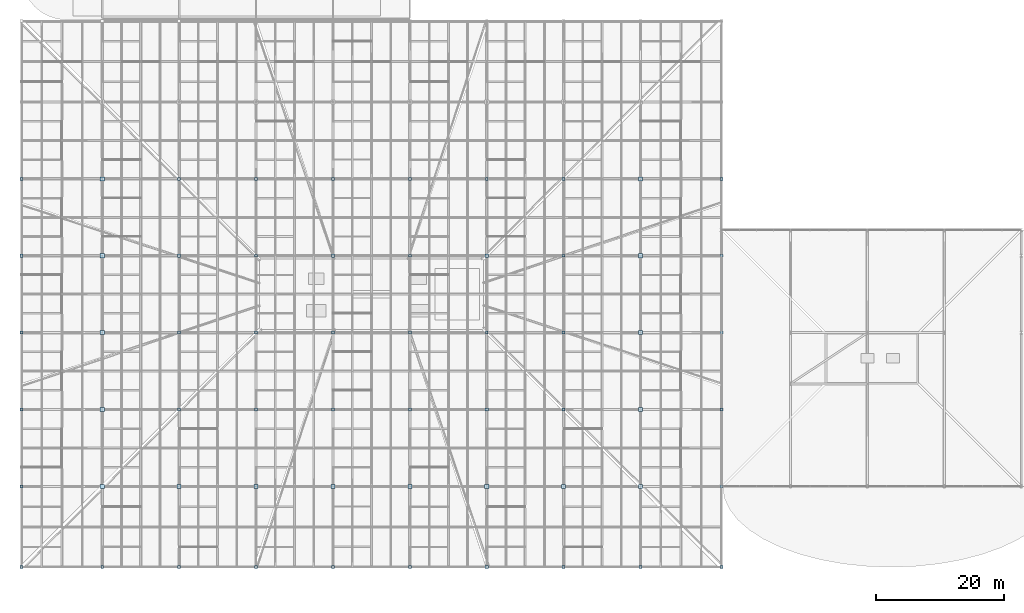
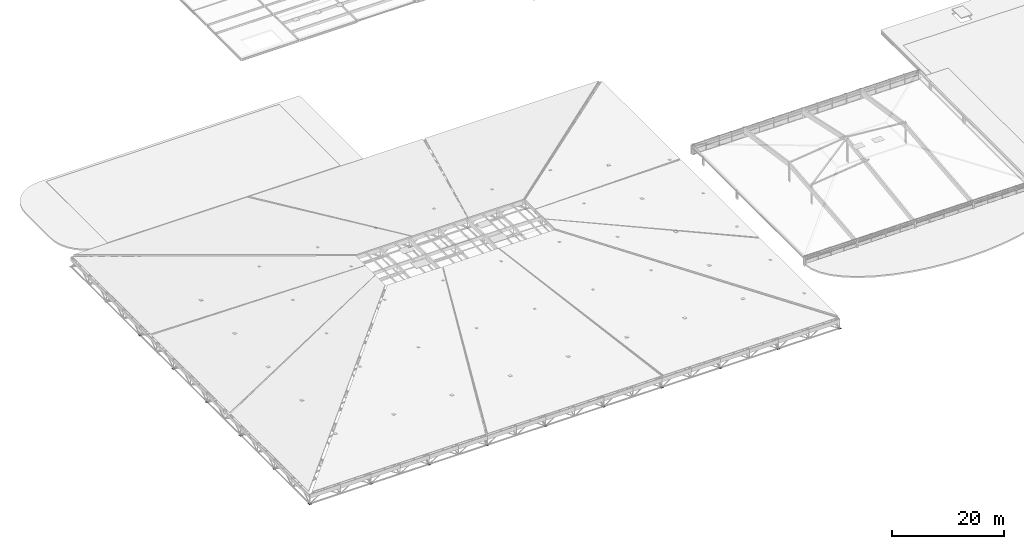
# One storey, part 77 of 80: 60 plates.
"""IFC4 building model written with IfcOpenShell, lengths in metres."""

from ifc_helpers import new_model, si_unit, direction, frame, origin, origin_2d, place, context, subcontext, project, spatial, rectangle, extrude, material, layer, layer_set, type_object, element, save


model = new_model("IFC4")

# Units and contexts
model_context = context("Model", 3, precision=1e-05, world=origin(), true_north=direction((0.0, 1.0)))
body_context = subcontext(model_context, "Body", "Model", "MODEL_VIEW")
ifc_project = project(units=[si_unit("LENGTHUNIT", "METRE"), si_unit("AREAUNIT", "SQUARE_METRE"), si_unit("VOLUMEUNIT", "CUBIC_METRE"), si_unit("PLANEANGLEUNIT", "RADIAN"), si_unit("MASSUNIT", "GRAM", prefix="KILO"), si_unit("THERMODYNAMICTEMPERATUREUNIT", "KELVIN"), si_unit("POWERUNIT", "WATT")], contexts=[model_context])

# Site, building, storey
site_placement = place(None, origin())
site = spatial("IfcSite", under=ifc_project, at=site_placement, CompositionType="ELEMENT")
building_placement = place(site_placement, origin())
building = spatial("IfcBuilding", under=site, at=building_placement, Name="Solmara Park Aquatics Centre", CompositionType="ELEMENT")
storey_placement = place(building_placement, frame((0.0, 0.0, 22.800048828125)))
storey = spatial("IfcBuildingStorey", under=building, at=storey_placement, Name="RF", CompositionType="ELEMENT", Elevation=22.800048828125)

# Plates
ifc_material = material(Name="Structural Steel S355", Category="steel")
ifc_layer_1 = layer(ifc_material, 0.02490234375, Name="Structural Steel S355")
ifc_layer_set_1 = layer_set([ifc_layer_1], Name="Structural Steel S355")
plate_type_1 = type_object("IfcPlateType", Name="STR-PLT-CAP50", PredefinedType="SHEET", material=ifc_layer_set_1)
for number, where, z_axis, x_axis, name in (
    (1, (0.0, 12.60009765625, -14.41259765625), (0.0, 0.0, 1.0), (1.0, 0.0, 0.0), "Roof Truss Node Plate 0002"),
    (2, (0.0, 36.60009765625, -14.41259765625), (0.0, 0.0, 1.0), (1.0, 0.0, 0.0), "Roof Truss Node Plate 0004"),
    (3, (0.0, 60.60009765625, -14.41259765625), (0.0, 0.0, 1.0), (1.0, 0.0, 0.0), "Roof Truss Node Plate 0006"),
    (4, (12.60009765625, 0.0, -14.41259765625), (0.0, 0.0, 1.0), (1.0, 0.0, 0.0), "Roof Truss Node Plate 0009"),
    (5, (24.60009765625, 36.60009765625, -8.050537109375), (0.0, 0.0, 1.0), (1.0, 0.0, 0.0), "Roof Truss Node Plate 0020"),
    (6, (24.60009765625, 60.60009765625, -8.050537109375), (0.0, 0.0, 1.0), (1.0, 0.0, 0.0), "Roof Truss Node Plate 0022"),
    (7, (36.60009765625, 0.0, -14.41259765625), (0.0, 0.0, 1.0), (1.0, 0.0, 0.0), "Roof Truss Node Plate 0025"),
    (8, (36.60009765625, 24.60009765625, -8.050537109375), (0.0, 0.0, 1.0), (1.0, 0.0, 0.0), "Roof Truss Node Plate 0027"),
    (9, (36.60009765625, 48.60009765625, -4.947021484375), (0.0, 0.0, 1.0), (1.0, 0.0, 0.0), "Roof Truss Node Plate 0029"),
    (10, (48.60009765625, 36.60009765625, -4.947021484375), (0.0, 0.0, 1.0), (1.0, 0.0, 0.0), "Roof Truss Node Plate 0036"),
    (11, (48.60009765625, 60.60009765625, -8.050537109375), (0.0, 0.0, 1.0), (1.0, 0.0, 0.0), "Roof Truss Node Plate 0038"),
    (12, (60.60009765625, 0.0, -14.41259765625), (0.0, 0.0, 1.0), (1.0, 0.0, 0.0), "Roof Truss Node Plate 0041"),
    (13, (60.60009765625, 24.60009765625, -8.050537109375), (0.0, 0.0, 1.0), (1.0, 0.0, 0.0), "Roof Truss Node Plate 0043"),
    (14, (60.60009765625, 48.60009765625, -4.947021484375), (0.0, 0.0, 1.0), (1.0, 0.0, 0.0), "Roof Truss Node Plate 0045"),
    (15, (72.60009765625, 36.60009765625, -4.947021484375), (0.0, 0.0, 1.0), (1.0, 0.0, 0.0), "Roof Truss Node Plate 0052"),
    (16, (72.60009765625, 60.60009765625, -8.050537109375), (0.0, 0.0, 1.0), (1.0, 0.0, 0.0), "Roof Truss Node Plate 0054"),
    (17, (84.60009765625, 0.0, -14.41259765625), (0.0, 0.0, 1.0), (1.0, 0.0, 0.0), "Roof Truss Node Plate 0057"),
    (18, (84.60009765625, 24.60009765625, -8.050537109375), (0.0, 0.0, 1.0), (1.0, 0.0, 0.0), "Roof Truss Node Plate 0059"),
    (19, (84.60009765625, 48.60009765625, -8.050537109375), (0.0, 0.0, 1.0), (1.0, 0.0, 0.0), "Roof Truss Node Plate 0061"),
    (20, (109.199951171875, 0.0, -14.41259765625), (0.0, 0.0, 1.0), (1.0, 0.0, 0.0), "Roof Truss Node Plate 0073"),
    (21, (109.199951171875, 24.60009765625, -14.41259765625), (0.0, 0.0, 1.0), (1.0, 0.0, 0.0), "Roof Truss Node Plate 0075"),
    (22, (109.199951171875, 48.60009765625, -14.41259765625), (0.0, 0.0, 1.0), (1.0, 0.0, 0.0), "Roof Truss Node Plate 0077"),
):
    element("IfcPlate", number, at=place(storey_placement, frame(where, z_axis=z_axis, x_axis=x_axis)), inside=storey, type_object=plate_type_1, Name=name, PredefinedType="SHEET", context=body_context, shape_type="SweptSolid", body=[
        extrude(rectangle(XDim=0.449951171875, YDim=0.449951171875, at=origin_2d()), origin(), (0.0, 0.0, 1.0), 0.02490234375),
    ])
ifc_layer_2 = layer(ifc_material, 0.031982421875, Name="Structural Steel S355")
ifc_layer_set_2 = layer_set([ifc_layer_2], Name="Structural Steel S355")
plate_type_2 = type_object("IfcPlateType", Name="STR-PLT-GUS60", PredefinedType="USERDEFINED", material=ifc_layer_set_2)
for number, where, z_axis, x_axis, name in (
    (23, (0.0, 0.0, -14.416015625), (0.0, 0.0, 1.0), (1.0, 0.0, 0.0), "Roof Truss Node Plate 0001"),
    (24, (0.0, 24.60009765625, -14.416015625), (0.0, 0.0, 1.0), (1.0, 0.0, 0.0), "Roof Truss Node Plate 0003"),
    (25, (0.0, 48.60009765625, -14.416015625), (0.0, 0.0, 1.0), (1.0, 0.0, 0.0), "Roof Truss Node Plate 0005"),
    (26, (24.60009765625, 0.0, -14.416015625), (0.0, 0.0, 1.0), (1.0, 0.0, 0.0), "Roof Truss Node Plate 0017"),
    (27, (24.60009765625, 24.60009765625, -8.05419921875), (0.0, 0.0, 1.0), (1.0, 0.0, 0.0), "Roof Truss Node Plate 0019"),
    (28, (24.60009765625, 48.60009765625, -8.05419921875), (0.0, 0.0, 1.0), (1.0, 0.0, 0.0), "Roof Truss Node Plate 0021"),
    (29, (36.60009765625, 36.60009765625, -4.95068359375), (0.0, 0.0, 1.0), (1.0, 0.0, 0.0), "Roof Truss Node Plate 0028"),
    (30, (36.60009765625, 60.60009765625, -8.05419921875), (0.0, 0.0, 1.0), (1.0, 0.0, 0.0), "Roof Truss Node Plate 0030"),
    (31, (48.60009765625, 0.0, -14.416015625), (0.0, 0.0, 1.0), (1.0, 0.0, 0.0), "Roof Truss Node Plate 0033"),
    (32, (48.60009765625, 24.60009765625, -8.05419921875), (0.0, 0.0, 1.0), (1.0, 0.0, 0.0), "Roof Truss Node Plate 0035"),
    (33, (48.60009765625, 48.60009765625, -4.95068359375), (0.0, 0.0, 1.0), (1.0, 0.0, 0.0), "Roof Truss Node Plate 0037"),
    (34, (60.60009765625, 36.60009765625, -4.95068359375), (0.0, 0.0, 1.0), (1.0, 0.0, 0.0), "Roof Truss Node Plate 0044"),
    (35, (60.60009765625, 60.60009765625, -8.05419921875), (0.0, 0.0, 1.0), (1.0, 0.0, 0.0), "Roof Truss Node Plate 0046"),
    (36, (72.60009765625, 0.0, -14.416015625), (0.0, 0.0, 1.0), (1.0, 0.0, 0.0), "Roof Truss Node Plate 0049"),
    (37, (72.60009765625, 24.60009765625, -8.05419921875), (0.0, 0.0, 1.0), (1.0, 0.0, 0.0), "Roof Truss Node Plate 0051"),
    (38, (72.60009765625, 48.60009765625, -4.95068359375), (0.0, 0.0, 1.0), (1.0, 0.0, 0.0), "Roof Truss Node Plate 0053"),
    (39, (84.60009765625, 36.60009765625, -8.05419921875), (0.0, 0.0, 1.0), (1.0, 0.0, 0.0), "Roof Truss Node Plate 0060"),
    (40, (84.60009765625, 60.60009765625, -8.05419921875), (0.0, 0.0, 1.0), (1.0, 0.0, 0.0), "Roof Truss Node Plate 0062"),
    (41, (96.60009765625, 0.0, -14.416015625), (0.0, 0.0, 1.0), (1.0, 0.0, 0.0), "Roof Truss Node Plate 0065"),
    (42, (109.199951171875, 12.60009765625, -14.416015625), (0.0, 0.0, 1.0), (1.0, 0.0, 0.0), "Roof Truss Node Plate 0074"),
    (43, (109.199951171875, 36.60009765625, -14.416015625), (0.0, 0.0, 1.0), (1.0, 0.0, 0.0), "Roof Truss Node Plate 0076"),
    (44, (109.199951171875, 60.60009765625, -14.416015625), (0.0, 0.0, 1.0), (1.0, 0.0, 0.0), "Roof Truss Node Plate 0078"),
):
    element("IfcPlate", number, at=place(storey_placement, frame(where, z_axis=z_axis, x_axis=x_axis)), inside=storey, type_object=plate_type_2, Name=name, ObjectType="GUSSET PLATE", PredefinedType="USERDEFINED", context=body_context, shape_type="SweptSolid", body=[
        extrude(rectangle(XDim=0.47998046875, YDim=0.47998046875, at=origin_2d()), origin(), (0.0, 0.0, 1.0), 0.031982421875),
    ])
ifc_layer_3 = layer(ifc_material, 0.0400390625, Name="Structural Steel S355")
ifc_layer_set_3 = layer_set([ifc_layer_3], Name="Structural Steel S355")
plate_type_3 = type_object("IfcPlateType", Name="STR-PLT-SHOE80", PredefinedType="USERDEFINED", material=ifc_layer_set_3)
for number, where, z_axis, x_axis, name in (
    (45, (12.60009765625, 12.60009765625, -11.181396484375), (0.0, 0.0, 1.0), (1.0, 0.0, 0.0), "Gridshell Bearing Shoe Plate 0010"),
    (46, (12.60009765625, 24.60009765625, -11.181396484375), (0.0, 0.0, 1.0), (1.0, 0.0, 0.0), "Gridshell Bearing Shoe Plate 0011"),
    (47, (12.60009765625, 36.60009765625, -11.181396484375), (0.0, 0.0, 1.0), (1.0, 0.0, 0.0), "Gridshell Bearing Shoe Plate 0012"),
    (48, (12.60009765625, 48.60009765625, -11.181396484375), (0.0, 0.0, 1.0), (1.0, 0.0, 0.0), "Gridshell Bearing Shoe Plate 0013"),
    (49, (12.60009765625, 60.60009765625, -11.181396484375), (0.0, 0.0, 1.0), (1.0, 0.0, 0.0), "Gridshell Bearing Shoe Plate 0014"),
    (50, (24.60009765625, 12.60009765625, -11.181396484375), (0.0, 0.0, 1.0), (1.0, 0.0, 0.0), "Gridshell Bearing Shoe Plate 0018"),
    (51, (36.60009765625, 12.60009765625, -11.181396484375), (0.0, 0.0, 1.0), (1.0, 0.0, 0.0), "Gridshell Bearing Shoe Plate 0026"),
    (52, (48.60009765625, 12.60009765625, -11.181396484375), (0.0, 0.0, 1.0), (1.0, 0.0, 0.0), "Gridshell Bearing Shoe Plate 0034"),
    (53, (60.60009765625, 12.60009765625, -11.181396484375), (0.0, 0.0, 1.0), (1.0, 0.0, 0.0), "Gridshell Bearing Shoe Plate 0042"),
    (54, (72.60009765625, 12.60009765625, -11.181396484375), (0.0, 0.0, 1.0), (1.0, 0.0, 0.0), "Gridshell Bearing Shoe Plate 0050"),
    (55, (84.60009765625, 12.60009765625, -11.181396484375), (0.0, 0.0, 1.0), (1.0, 0.0, 0.0), "Gridshell Bearing Shoe Plate 0058"),
    (56, (96.60009765625, 12.60009765625, -11.181396484375), (0.0, 0.0, 1.0), (1.0, 0.0, 0.0), "Gridshell Bearing Shoe Plate 0066"),
    (57, (96.60009765625, 24.60009765625, -11.181396484375), (0.0, 0.0, 1.0), (1.0, 0.0, 0.0), "Gridshell Bearing Shoe Plate 0067"),
    (58, (96.60009765625, 36.60009765625, -11.181396484375), (0.0, 0.0, 1.0), (1.0, 0.0, 0.0), "Gridshell Bearing Shoe Plate 0068"),
    (59, (96.60009765625, 48.60009765625, -11.181396484375), (0.0, 0.0, 1.0), (1.0, 0.0, 0.0), "Gridshell Bearing Shoe Plate 0069"),
    (60, (96.60009765625, 60.60009765625, -11.181396484375), (0.0, 0.0, 1.0), (1.0, 0.0, 0.0), "Gridshell Bearing Shoe Plate 0070"),
):
    element("IfcPlate", number, at=place(storey_placement, frame(where, z_axis=z_axis, x_axis=x_axis)), inside=storey, type_object=plate_type_3, Name=name, ObjectType="GUSSET PLATE", PredefinedType="USERDEFINED", context=body_context, shape_type="SweptSolid", body=[
        extrude(rectangle(XDim=0.639892578125, YDim=0.639892578125, at=origin_2d()), origin(), (0.0, 0.0, 1.0), 0.0400390625),
    ])

save(model, "model.ifc")
